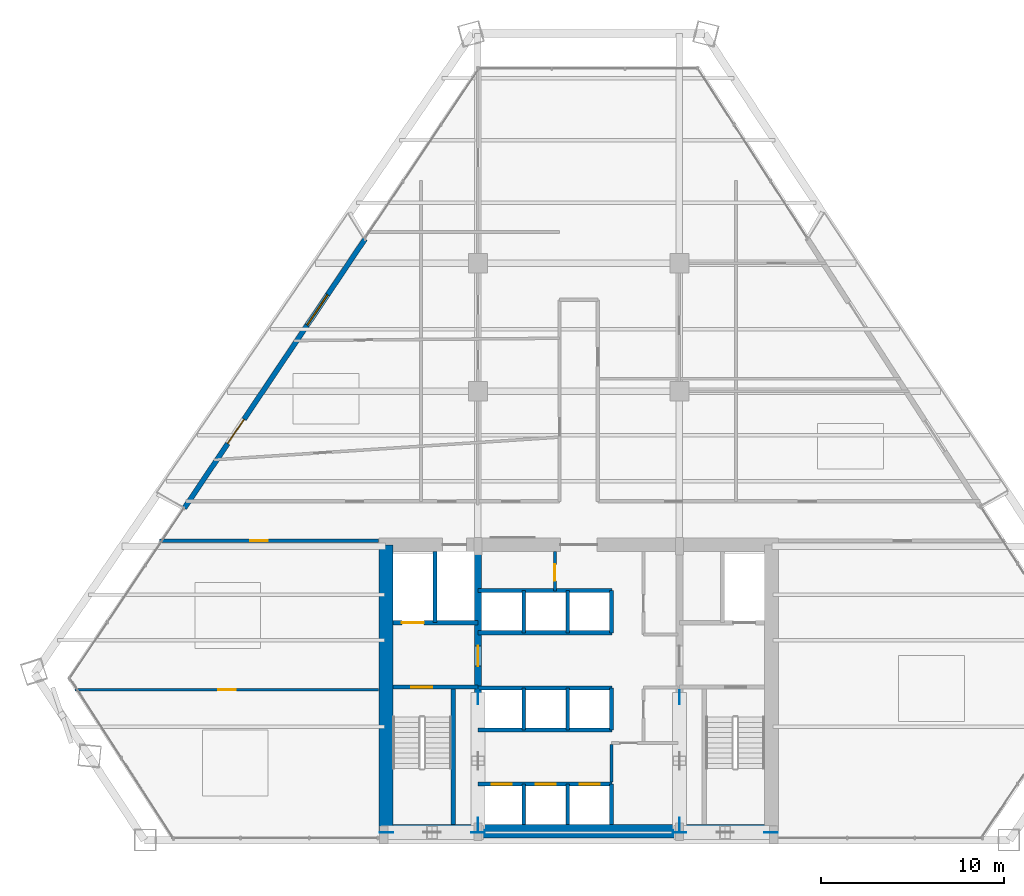
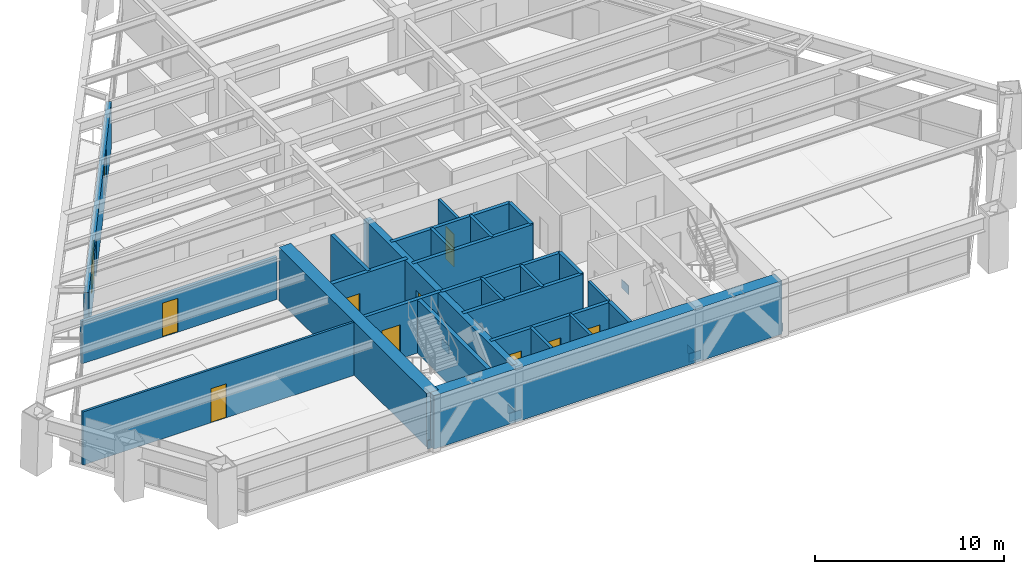
# One storey, part 10 of 14: 26 walls, 10 doors, 8 plates, 1 window, 11 openings.
"""IFC4 building model written with IfcOpenShell, lengths in metres."""

from ifc_helpers import new_model, si_unit, direction, frame, frame_2d, origin, origin_2d, place, context, subcontext, project, spatial, rectangle, extrude, source, transform, mapped, material, layer, layer_set, type_object, type_shapes, element, fill, save


model = new_model("IFC4")

# Units and contexts
model_context = context("Model", 3, precision=1e-05, world=origin(), true_north=direction((0.0, 1.0)))
body_context = subcontext(model_context, "Body", "Model", "MODEL_VIEW")
ifc_project = project(units=[si_unit("LENGTHUNIT", "METRE"), si_unit("AREAUNIT", "SQUARE_METRE"), si_unit("VOLUMEUNIT", "CUBIC_METRE"), si_unit("PLANEANGLEUNIT", "RADIAN"), si_unit("MASSUNIT", "GRAM", prefix="KILO")], contexts=[model_context])

# Site, building, storey
site_placement = place(None, origin())
site = spatial("IfcSite", under=ifc_project, at=site_placement, CompositionType="ELEMENT")
building_placement = place(site_placement, origin())
building = spatial("IfcBuilding", under=site, at=building_placement, Name="Varnakhor Terracotta Tower", CompositionType="ELEMENT")
storey_placement = place(building_placement, frame((0.0, 0.0, 98.800048828125)))
storey = spatial("IfcBuildingStorey", under=building, at=storey_placement, Name="L24", CompositionType="ELEMENT", Elevation=98.800048828125)

# Plates
ifc_material_1 = material(Name="Steel S460", Category="steel")
ifc_layer_1 = layer(ifc_material_1, 0.050048828125, Name="Steel S460")
ifc_layer_set_1 = layer_set([ifc_layer_1], Name="Steel S460")
plate_type = type_object("IfcPlateType", Name="PLT-GUSSET-50", PredefinedType="USERDEFINED", material=ifc_layer_set_1)
shared_shape_1 = source(origin(), body_context, "Body", "SweptSolid", [
    extrude(rectangle(XDim=0.75, YDim=0.0400390625, at=origin_2d()), origin(), (0.0, 0.0, 1.0), 0.550048828125),
])
type_shapes(plate_type, [shared_shape_1])
for number, where, z_axis, x_axis, name in (
    (1, (-10.5, 0.419921875, -0.09521484375), (0.0, 0.0, 1.0), (1.0, 0.0, 0.0), "L24 Core Brace Embed Plate CSWA"),
    (2, (-5.5, 0.419921875, -0.09521484375), (0.0, 0.0, 1.0), (1.0, 0.0, 0.0), "L24 Core Brace Embed Plate CSWB"),
    (3, (5.5, 0.419921875, -0.09521484375), (0.0, 0.0, 1.0), (1.0, 0.0, 0.0), "L24 Core Brace Embed Plate CSEA"),
    (4, (10.5, 0.419921875, -0.09521484375), (0.0, 0.0, 1.0), (1.0, 0.0, 0.0), "L24 Core Brace Embed Plate CSEB"),
    (5, (-5.5, 0.85009765625, -0.09521484375), (0.0, 0.0, 1.0), (0.0, 1.0, 0.0), "L24 Core Brace Embed Plate CWWA"),
    (6, (-5.5, 7.800048828125, -0.09521484375), (0.0, 0.0, 1.0), (0.0, 1.0, 0.0), "L24 Core Brace Embed Plate CWWB"),
    (7, (5.5, 0.85009765625, -0.09521484375), (0.0, 0.0, 1.0), (0.0, 1.0, 0.0), "L24 Core Brace Embed Plate CWEA"),
    (8, (5.5, 7.800048828125, -0.09521484375), (0.0, 0.0, 1.0), (0.0, 1.0, 0.0), "L24 Core Brace Embed Plate CWEB"),
):
    element("IfcPlate", number, at=place(storey_placement, frame(where, z_axis=z_axis, x_axis=x_axis)), inside=storey, type_object=plate_type, Name=name, ObjectType="GUSSET PLATE", PredefinedType="USERDEFINED", context=body_context, shape_type="MappedRepresentation", body=[
        mapped(shared_shape_1, transform((0.0, 0.0, 0.0), scale=1.0)),
    ])

# Walls
ifc_material_2 = material(Name="Concrete C60/75", Category="concrete")
ifc_layer_2 = layer(ifc_material_2, 0.75, Name="Concrete C60/75")
ifc_layer_set_2 = layer_set([ifc_layer_2], Name="Concrete C60/75")
wall_type_1 = type_object("IfcWallType", Name="WAL-CORE-750", PredefinedType="SHEAR", material=ifc_layer_set_2)
wall_1_placement = place(storey_placement, frame((-10.64990234375, 0.47509765625, 0.0), z_axis=(0.0, 0.0, 1.0), x_axis=(1.0, 0.0, 0.0)))
element("IfcWall", 9, at=wall_1_placement, inside=storey, type_object=wall_type_1, Name="L24 South Core Shear Wall", PredefinedType="SHEAR", context=body_context, shape_type="SweptSolid", body=[
    extrude(rectangle(XDim=21.2998046875, YDim=0.75, at=frame_2d((10.64990234375, 0.0))), origin(), (0.0, 0.0, 1.0), 3.449951171875),
])
wall_2_placement = place(storey_placement, frame((-10.52490234375, 0.47509765625, 0.0), z_axis=(0.0, 0.0, 1.0), x_axis=(0.0, 1.0, 0.0)))
element("IfcWall", 10, at=wall_2_placement, inside=storey, type_object=wall_type_1, Name="L24 West Core Shear Wall", PredefinedType="SHEAR", context=body_context, shape_type="SweptSolid", body=[
    extrude(rectangle(XDim=15.64990234375, YDim=0.75, at=frame_2d((7.824951171875, 0.0))), origin(), (0.0, 0.0, 1.0), 3.449951171875),
])

# Wall, opening, door
ifc_material_3 = material(Name="Concrete C50/60", Category="concrete")
ifc_layer_3 = layer(ifc_material_3, 0.39990234375, Name="Concrete C50/60")
ifc_layer_set_3 = layer_set([ifc_layer_3], Name="Concrete C50/60")
wall_type_2 = type_object("IfcWallType", Name="WAL-CORE-WEB-400", PredefinedType="SHEAR", material=ifc_layer_set_3)
wall_3_placement = place(storey_placement, frame((-5.5, 0.47509765625, 0.0), z_axis=(0.0, 0.0, 1.0), x_axis=(0.0, 1.0, 0.0)))
wall_3 = element("IfcWall", 11, at=wall_3_placement, inside=storey, type_object=wall_type_2, Name="L24 West Core Web Shear Wall", PredefinedType="SHEAR", context=body_context, shape_type="SweptSolid", body=[
    extrude(rectangle(XDim=15.64990234375, YDim=0.39990234375, at=frame_2d((7.824951171875, 0.0))), origin(), (0.0, 0.0, 1.0), 3.449951171875),
])
opening_1_placement = place(wall_3_placement, frame((9.02490234375, 0.0, 0.0)))
opening_1 = element("IfcOpeningElement", 12, at=opening_1_placement, cuts=wall_3, Name="Opening DR-25", PredefinedType="OPENING", context=body_context, shape_type="SweptSolid", body=[
    extrude(rectangle(XDim=1.10009765625, YDim=2.199951171875, at=frame_2d((0.550048828125, 1.10009765625))), frame((0.0, 0.2099609375, 0.0), z_axis=(0.0, -1.0, 0.0), x_axis=(1.0, 0.0, 0.0)), (0.0, 0.0, 1.0), 0.419921875),
])
ifc_material_4 = material(Name="Firefighting Lobby Self-Closing Fire Door", Category="steel")
door_type_1 = type_object("IfcDoorType", Name="DR-FFL-1100X2200", OperationType="NOTDEFINED", PredefinedType="DOOR", material=ifc_material_4)
shared_shape_2 = source(origin(), body_context, "Body", "SweptSolid", [
    extrude(rectangle(XDim=1.10009765625, YDim=2.199951171875, at=frame_2d((0.550048828125, 1.10009765625))), frame((0.0, 0.02490234375, 0.0), z_axis=(0.0, -1.0, 0.0), x_axis=(1.0, 0.0, 0.0)), (0.0, 0.0, 1.0), 0.050048828125),
])
type_shapes(door_type_1, [shared_shape_2])
door_1_placement = place(opening_1_placement, origin())
door_1 = element("IfcDoor", 13, at=door_1_placement, inside=storey, type_object=door_type_1, Name="L24 West Firefighting Lobby Door", OperationType="SINGLE_SWING_RIGHT", OverallHeight=2.199951171875, OverallWidth=1.10009765625, PredefinedType="DOOR", context=body_context, shape_type="MappedRepresentation", body=[
    mapped(shared_shape_2, transform((0.0, 0.0, 0.0), scale=1.0)),
])
fill(opening_1, door_1)

ifc_material_5 = material(Name="Fire-Rated Gypsum Stud Partition", Category="gypsum")
ifc_layer_4 = layer(ifc_material_5, 0.18505859375, Name="Fire-Rated Gypsum Stud Partition")
ifc_layer_set_4 = layer_set([ifc_layer_4], Name="Fire-Rated Gypsum Stud Partition")
wall_type_3 = type_object("IfcWallType", Name="WAL-CORR-185", PredefinedType="PARTITIONING", material=ifc_layer_set_4)
wall_4_placement = place(storey_placement, frame((-22.876708984375, 16.35009765625, 0.0), z_axis=(0.0, 0.0, 1.0), x_axis=(1.0, 0.0, 0.0)))
wall_4 = element("IfcWall", 14, at=wall_4_placement, inside=storey, type_object=wall_type_3, Name="L24 South West Corridor Wall", PredefinedType="PARTITIONING", context=body_context, shape_type="SweptSolid", body=[
    extrude(rectangle(XDim=11.956787109375, YDim=0.18505859375, at=frame_2d((5.978515625, 0.0))), origin(), (0.0, 0.0, 1.0), 2.7470703125),
])
opening_2_placement = place(wall_4_placement, frame((4.939697265625, 0.0, 0.0)))
opening_2 = element("IfcOpeningElement", 15, at=opening_2_placement, cuts=wall_4, Name="Opening DR-94", PredefinedType="OPENING", context=body_context, shape_type="SweptSolid", body=[
    extrude(rectangle(XDim=0.949951171875, YDim=2.199951171875, at=frame_2d((0.47509765625, 1.10009765625))), frame((0.0, 0.1025390625, 0.0), z_axis=(0.0, -1.0, 0.0), x_axis=(1.0, 0.0, 0.0)), (0.0, 0.0, 1.0), 0.205078125),
])
ifc_material_6 = material(Name="Acoustic Glazed-Vision Timber Office Door", Category="wood")
door_type_2 = type_object("IfcDoorType", Name="DR-OFF-950X2200", OperationType="NOTDEFINED", PredefinedType="DOOR", material=ifc_material_6)
shared_shape_3 = source(origin(), body_context, "Body", "SweptSolid", [
    extrude(rectangle(XDim=0.949951171875, YDim=2.199951171875, at=frame_2d((0.47509765625, 1.10009765625))), frame((0.0, 0.02490234375, 0.0), z_axis=(0.0, -1.0, 0.0), x_axis=(1.0, 0.0, 0.0)), (0.0, 0.0, 1.0), 0.050048828125),
])
type_shapes(door_type_2, [shared_shape_3])
door_2_placement = place(opening_2_placement, origin())
door_2 = element("IfcDoor", 16, at=door_2_placement, inside=storey, type_object=door_type_2, Name="L24 SW Suite Door", OperationType="SINGLE_SWING_LEFT", OverallHeight=2.199951171875, OverallWidth=0.949951171875, PredefinedType="DOOR", context=body_context, shape_type="MappedRepresentation", body=[
    mapped(shared_shape_3, transform((0.0, 0.0, 0.0), scale=1.0)),
])
fill(opening_2, door_2)

# Wall, openings, door, window
ifc_material_7 = material(Name="Extruded Architectural Terracotta Assembly", Category="masonry")
ifc_layer_5 = layer(ifc_material_7, 0.280029296875, Name="Extruded Architectural Terracotta Assembly")
ifc_layer_set_5 = layer_set([ifc_layer_5], Name="Extruded Architectural Terracotta Assembly")
wall_type_4 = type_object("IfcWallType", Name="WAL-EXT-TERRACOTTA-280", PredefinedType="SOLIDWALL", material=ifc_layer_set_5)
wall_5_placement = place(storey_placement, frame((-21.533447265625, 18.117919921875, 0.0), z_axis=(0.0, 0.0, 1.0), x_axis=(0.55732309921, 0.830295708219, 0.0)))
wall_5 = element("IfcWall", 17, at=wall_5_placement, inside=storey, type_object=wall_type_4, Name="L24 W Loggia Insulated Terracotta Wall", PredefinedType="SOLIDWALL", context=body_context, shape_type="SweptSolid", body=[
    extrude(rectangle(XDim=17.702392578125, YDim=0.280029296875, at=frame_2d((8.85107421875, 0.0))), origin(), (0.0, 0.0, 1.0), 3.030029296875),
])
opening_3_placement = place(wall_5_placement, frame((4.24853515625, 0.0, 0.0)))
opening_3 = element("IfcOpeningElement", 18, at=opening_3_placement, cuts=wall_5, Name="Opening DR-62", PredefinedType="OPENING", context=body_context, shape_type="SweptSolid", body=[
    extrude(rectangle(XDim=1.60009765625, YDim=2.35009765625, at=frame_2d((0.800048828125, 1.175048828125))), frame((0.0, 0.14990234375, 0.0), z_axis=(0.0, -1.0, 0.0), x_axis=(1.0, 0.0, 0.0)), (0.0, 0.0, 1.0), 0.300048828125),
])
opening_4_placement = place(wall_5_placement, frame((12.03759765625, 0.0, 0.89990234375)))
opening_4 = element("IfcOpeningElement", 19, at=opening_4_placement, cuts=wall_5, Name="Opening WN-26", PredefinedType="OPENING", context=body_context, shape_type="SweptSolid", body=[
    extrude(rectangle(XDim=2.0, YDim=1.85009765625, at=frame_2d((1.0, 0.925048828125))), frame((0.0, 0.14990234375, 0.0), z_axis=(0.0, -1.0, 0.0), x_axis=(1.0, 0.0, 0.0)), (0.0, 0.0, 1.0), 0.300048828125),
])
ifc_material_8 = material(Name="Thermally Broken Sliding Glass Loggia Door", Category="glass")
door_type_3 = type_object("IfcDoorType", Name="DR-EXT-LOGGIA-1600X2350", OperationType="NOTDEFINED", PredefinedType="DOOR", material=ifc_material_8)
shared_shape_4 = source(origin(), body_context, "Body", "SweptSolid", [
    extrude(rectangle(XDim=1.60009765625, YDim=2.35009765625, at=frame_2d((0.800048828125, 1.175048828125))), frame((0.0, 0.02490234375, 0.0), z_axis=(0.0, -1.0, 0.0), x_axis=(1.0, 0.0, 0.0)), (0.0, 0.0, 1.0), 0.050048828125),
])
type_shapes(door_type_3, [shared_shape_4])
door_3_placement = place(opening_3_placement, origin())
door_3 = element("IfcDoor", 20, at=door_3_placement, inside=storey, type_object=door_type_3, Name="L24 W Recessed Loggia Sliding Door", OperationType="SLIDING_TO_LEFT", OverallHeight=2.35009765625, OverallWidth=1.60009765625, PredefinedType="DOOR", context=body_context, shape_type="MappedRepresentation", body=[
    mapped(shared_shape_4, transform((0.0, 0.0, 0.0), scale=1.0)),
])
fill(opening_3, door_3)
ifc_material_9 = material(Name="Solar-Control Low-E Insulated Glass Unit", Category="glass")
window_type = type_object("IfcWindowType", Name="WIN-OFF-2200X2100", PartitioningType="SINGLE_PANEL", PredefinedType="WINDOW", material=ifc_material_9)
shared_shape_5 = source(origin(), body_context, "Body", "SweptSolid", [
    extrude(rectangle(XDim=2.0, YDim=1.85009765625, at=frame_2d((1.0, 0.925048828125))), frame((0.0, 0.030029296875, 0.0), z_axis=(0.0, -1.0, 0.0), x_axis=(1.0, 0.0, 0.0)), (0.0, 0.0, 1.0), 0.06005859375),
])
type_shapes(window_type, [shared_shape_5])
window_placement = place(opening_4_placement, origin())
window = element("IfcWindow", 21, at=window_placement, inside=storey, type_object=window_type, Name="L24 W Facet Punched Window", OverallHeight=1.85009765625, OverallWidth=2.0, PartitioningType="SINGLE_PANEL", PredefinedType="WINDOW", context=body_context, shape_type="MappedRepresentation", body=[
    mapped(shared_shape_5, transform((0.0, 0.0, 0.0), scale=1.0)),
])
fill(opening_4, window)

# Wall, opening, door
ifc_material_10 = material(Name="Concrete C40/50", Category="concrete")
ifc_layer_6 = layer(ifc_material_10, 0.219970703125, Name="Concrete C40/50")
ifc_layer_set_6 = layer_set([ifc_layer_6], Name="Concrete C40/50")
wall_type_5 = type_object("IfcWallType", Name="WAL-FFLOBBY-220", PredefinedType="SOLIDWALL", material=ifc_layer_set_6)
wall_6_placement = place(storey_placement, frame((-5.5, 8.35009765625, 0.0), z_axis=(0.0, 0.0, 1.0), x_axis=(-1.0, 0.0, 0.0)))
wall_6 = element("IfcWall", 22, at=wall_6_placement, inside=storey, type_object=wall_type_5, Name="L24 West Firefighting Lobby Stair Wall", PredefinedType="SOLIDWALL", context=body_context, shape_type="SweptSolid", body=[
    extrude(rectangle(XDim=4.64990234375, YDim=0.219970703125, at=frame_2d((2.324951171875, 0.0))), origin(), (0.0, 0.0, 1.0), 3.449951171875),
])
opening_5_placement = place(wall_6_placement, frame((2.5, 0.0, 0.0)))
opening_5 = element("IfcOpeningElement", 23, at=opening_5_placement, cuts=wall_6, Name="Opening DR-34", PredefinedType="OPENING", context=body_context, shape_type="SweptSolid", body=[
    extrude(rectangle(XDim=1.14990234375, YDim=2.199951171875, at=frame_2d((0.574951171875, 1.10009765625))), frame((0.0, 0.1201171875, 0.0), z_axis=(0.0, -1.0, 0.0), x_axis=(1.0, 0.0, 0.0)), (0.0, 0.0, 1.0), 0.239990234375),
])
ifc_material_11 = material(Name="Self-Closing Smoke-Sealed Steel Fire Door", Category="steel")
door_type_4 = type_object("IfcDoorType", Name="DR-STAIR-1150X2200", OperationType="NOTDEFINED", PredefinedType="DOOR", material=ifc_material_11)
shared_shape_6 = source(origin(), body_context, "Body", "SweptSolid", [
    extrude(rectangle(XDim=1.14990234375, YDim=2.199951171875, at=frame_2d((0.574951171875, 1.10009765625))), frame((0.0, 0.02490234375, 0.0), z_axis=(0.0, -1.0, 0.0), x_axis=(1.0, 0.0, 0.0)), (0.0, 0.0, 1.0), 0.050048828125),
])
type_shapes(door_type_4, [shared_shape_6])
door_4_placement = place(opening_5_placement, origin())
door_4 = element("IfcDoor", 24, at=door_4_placement, inside=storey, type_object=door_type_4, Name="L24 Exit Stair ST-1 Fire Door", OperationType="SINGLE_SWING_LEFT", OverallHeight=2.199951171875, OverallWidth=1.14990234375, PredefinedType="DOOR", context=body_context, shape_type="MappedRepresentation", body=[
    mapped(shared_shape_6, transform((0.0, 0.0, 0.0), scale=1.0)),
])
fill(opening_5, door_4)

ifc_material_12 = material(Name="Acoustic Metal-Stud Partition", Category="gypsum")
ifc_layer_7 = layer(ifc_material_12, 0.139892578125, Name="Acoustic Metal-Stud Partition")
ifc_layer_set_7 = layer_set([ifc_layer_7], Name="Acoustic Metal-Stud Partition")
wall_type_6 = type_object("IfcWallType", Name="WAL-PART-140", PredefinedType="PARTITIONING", material=ifc_layer_set_7)
wall_7_placement = place(storey_placement, frame((-27.5009765625, 8.199951171875, 0.0), z_axis=(0.0, 0.0, 1.0), x_axis=(1.0, 0.0, 0.0)))
wall_7 = element("IfcWall", 25, at=wall_7_placement, inside=storey, type_object=wall_type_6, Name="L24 South West Cut 1", PredefinedType="PARTITIONING", context=body_context, shape_type="SweptSolid", body=[
    extrude(rectangle(XDim=16.5810546875, YDim=0.139892578125, at=frame_2d((8.29052734375, 0.0))), origin(), (0.0, 0.0, 1.0), 3.44189453125),
])
opening_6_placement = place(wall_7_placement, frame((7.824462890625, 0.0, 0.0)))
opening_6 = element("IfcOpeningElement", 26, at=opening_6_placement, cuts=wall_7, Name="Opening DR-94", PredefinedType="OPENING", context=body_context, shape_type="SweptSolid", body=[
    extrude(rectangle(XDim=0.949951171875, YDim=2.199951171875, at=frame_2d((0.47509765625, 1.10009765625))), frame((0.0, 0.080078125, 0.0), z_axis=(0.0, -1.0, 0.0), x_axis=(1.0, 0.0, 0.0)), (0.0, 0.0, 1.0), 0.159912109375),
])
door_5_placement = place(opening_6_placement, origin())
door_5 = element("IfcDoor", 27, at=door_5_placement, inside=storey, type_object=door_type_2, Name="L24 South West Executive Office Door", OperationType="SINGLE_SWING_LEFT", OverallHeight=2.199951171875, OverallWidth=0.949951171875, PredefinedType="DOOR", context=body_context, shape_type="MappedRepresentation", body=[
    mapped(shared_shape_3, transform((0.0, 0.0, 0.0), scale=1.0)),
])
fill(opening_6, door_5)

# Walls
ifc_layer_8 = layer(ifc_material_10, 0.179931640625, Name="Concrete C40/50")
ifc_layer_set_8 = layer_set([ifc_layer_8], Name="Concrete C40/50")
wall_type_7 = type_object("IfcWallType", Name="WAL-SHAFT-180", PredefinedType="SOLIDWALL", material=ifc_layer_set_8)
for number, where, z_axis, x_axis, name in (
    (28, (-3.0, 0.85009765625, 0.0), (0.0, 0.0, 1.0), (0.0, 1.0, 0.0), "L24 PL-1A Divider"),
    (29, (-0.60009765625, 0.85009765625, 0.0), (0.0, 0.0, 1.0), (0.0, 1.0, 0.0), "L24 PL-1B Divider"),
):
    element("IfcWall", number, at=place(storey_placement, frame(where, z_axis=z_axis, x_axis=x_axis)), inside=storey, type_object=wall_type_7, Name=name, PredefinedType="SOLIDWALL", context=body_context, shape_type="SweptSolid", body=[
        extrude(rectangle(XDim=2.199951171875, YDim=0.179931640625, at=frame_2d((1.10009765625, 0.0))), origin(), (0.0, 0.0, 1.0), 3.449951171875),
    ])
for number, where, z_axis, x_axis, name in (
    (30, (-3.0, 6.0, 0.0), (0.0, 0.0, 1.0), (0.0, 1.0, 0.0), "L24 PL-2A Divider"),
    (31, (-0.60009765625, 6.0, 0.0), (0.0, 0.0, 1.0), (0.0, 1.0, 0.0), "L24 PL-2B Divider"),
    (32, (-3.0, 11.320068359375, 0.0), (0.0, 0.0, 1.0), (0.0, 1.0, 0.0), "L24 PL-3A Divider"),
    (33, (-0.60009765625, 11.320068359375, 0.0), (0.0, 0.0, 1.0), (0.0, 1.0, 0.0), "L24 PL-3B Divider"),
):
    element("IfcWall", number, at=place(storey_placement, frame(where, z_axis=z_axis, x_axis=x_axis)), inside=storey, type_object=wall_type_7, Name=name, PredefinedType="SOLIDWALL", context=body_context, shape_type="SweptSolid", body=[
        extrude(rectangle(XDim=2.300048828125, YDim=0.179931640625, at=frame_2d((1.14990234375, 0.0))), origin(), (0.0, 0.0, 1.0), 3.449951171875),
    ])
ifc_layer_9 = layer(ifc_material_10, 0.219970703125, Name="Concrete C40/50")
ifc_layer_set_9 = layer_set([ifc_layer_9], Name="Concrete C40/50")
wall_type_8 = type_object("IfcWallType", Name="WAL-SHAFT-220", PredefinedType="SOLIDWALL", material=ifc_layer_set_9)
wall_8_placement = place(storey_placement, frame((-7.840087890625, 11.8701171875, 0.0), z_axis=(0.0, 0.0, 1.0), x_axis=(0.0, 1.0, 0.0)))
element("IfcWall", 34, at=wall_8_placement, inside=storey, type_object=wall_type_8, Name="L24 Lift FFL-1 and SVL-1 Divider Wall", PredefinedType="SOLIDWALL", context=body_context, shape_type="SweptSolid", body=[
    extrude(rectangle(XDim=3.8798828125, YDim=0.219970703125, at=frame_2d((1.93994140625, 0.0))), origin(), (0.0, 0.0, 1.0), 3.449951171875),
])

# Wall, openings, doors
wall_9_placement = place(storey_placement, frame((-5.5, 3.050048828125, 0.0), z_axis=(0.0, 0.0, 1.0), x_axis=(1.0, 0.0, 0.0)))
wall_9 = element("IfcWall", 35, at=wall_9_placement, inside=storey, type_object=wall_type_8, Name="L24 Bank 1 Lift Shaft Wall", PredefinedType="SOLIDWALL", context=body_context, shape_type="SweptSolid", body=[
    extrude(rectangle(XDim=7.320068359375, YDim=0.219970703125, at=frame_2d((3.66015625, 0.0))), origin(), (0.0, 0.0, 1.0), 3.449951171875),
])
opening_7_placement = place(wall_9_placement, frame((0.75, 0.0, 0.0)))
opening_7 = element("IfcOpeningElement", 36, at=opening_7_placement, cuts=wall_9, Name="Opening LD-01", PredefinedType="OPENING", context=body_context, shape_type="SweptSolid", body=[
    extrude(rectangle(XDim=1.10009765625, YDim=2.199951171875, at=frame_2d((0.550048828125, 1.10009765625))), frame((0.0, 0.1201171875, 0.0), z_axis=(0.0, -1.0, 0.0), x_axis=(1.0, 0.0, 0.0)), (0.0, 0.0, 1.0), 0.239990234375),
])
opening_8_placement = place(wall_9_placement, frame((3.14990234375, 0.0, 0.0)))
opening_8 = element("IfcOpeningElement", 37, at=opening_8_placement, cuts=wall_9, Name="Opening LD-01", PredefinedType="OPENING", context=body_context, shape_type="SweptSolid", body=[
    extrude(rectangle(XDim=1.10009765625, YDim=2.199951171875, at=frame_2d((0.550048828125, 1.10009765625))), frame((0.0, 0.1201171875, 0.0), z_axis=(0.0, -1.0, 0.0), x_axis=(1.0, 0.0, 0.0)), (0.0, 0.0, 1.0), 0.239990234375),
])
opening_9_placement = place(wall_9_placement, frame((5.550048828125, 0.0, 0.0)))
opening_9 = element("IfcOpeningElement", 38, at=opening_9_placement, cuts=wall_9, Name="Opening LD-01", PredefinedType="OPENING", context=body_context, shape_type="SweptSolid", body=[
    extrude(rectangle(XDim=1.10009765625, YDim=2.199951171875, at=frame_2d((0.550048828125, 1.10009765625))), frame((0.0, 0.1201171875, 0.0), z_axis=(0.0, -1.0, 0.0), x_axis=(1.0, 0.0, 0.0)), (0.0, 0.0, 1.0), 0.239990234375),
])
ifc_material_13 = material(Name="Brushed Stainless Steel Sliding Lift Landing Door", Category="steel")
door_type_5 = type_object("IfcDoorType", Name="LD-PASS-1100X2200", OperationType="NOTDEFINED", PredefinedType="DOOR", material=ifc_material_13)
shared_shape_7 = source(origin(), body_context, "Body", "SweptSolid", [
    extrude(rectangle(XDim=1.10009765625, YDim=2.199951171875, at=frame_2d((0.550048828125, 1.10009765625))), frame((0.0, 0.02490234375, 0.0), z_axis=(0.0, -1.0, 0.0), x_axis=(1.0, 0.0, 0.0)), (0.0, 0.0, 1.0), 0.050048828125),
])
type_shapes(door_type_5, [shared_shape_7])
door_6_placement = place(opening_7_placement, origin())
door_6 = element("IfcDoor", 39, at=door_6_placement, inside=storey, type_object=door_type_5, Name="L24 Passenger Lift PL-1A Landing Door", OperationType="SLIDING_TO_RIGHT", OverallHeight=2.199951171875, OverallWidth=1.10009765625, PredefinedType="DOOR", context=body_context, shape_type="MappedRepresentation", body=[
    mapped(shared_shape_7, transform((0.0, 0.0, 0.0), scale=1.0)),
])
fill(opening_7, door_6)
door_7_placement = place(opening_8_placement, origin())
door_7 = element("IfcDoor", 40, at=door_7_placement, inside=storey, type_object=door_type_5, Name="L24 Passenger Lift PL-1B Landing Door", OperationType="SLIDING_TO_RIGHT", OverallHeight=2.199951171875, OverallWidth=1.10009765625, PredefinedType="DOOR", context=body_context, shape_type="MappedRepresentation", body=[
    mapped(shared_shape_7, transform((0.0, 0.0, 0.0), scale=1.0)),
])
fill(opening_8, door_7)
door_8_placement = place(opening_9_placement, origin())
door_8 = element("IfcDoor", 41, at=door_8_placement, inside=storey, type_object=door_type_5, Name="L24 Passenger Lift PL-1C Landing Door", OperationType="SLIDING_TO_RIGHT", OverallHeight=2.199951171875, OverallWidth=1.10009765625, PredefinedType="DOOR", context=body_context, shape_type="MappedRepresentation", body=[
    mapped(shared_shape_7, transform((0.0, 0.0, 0.0), scale=1.0)),
])
fill(opening_9, door_8)

# Walls
wall_10_placement = place(storey_placement, frame((1.800048828125, 0.85009765625, 0.0), z_axis=(0.0, 0.0, 1.0), x_axis=(0.0, 1.0, 0.0)))
element("IfcWall", 42, at=wall_10_placement, inside=storey, type_object=wall_type_8, Name="L24 Bank 1 East Shaft Wall", PredefinedType="SOLIDWALL", context=body_context, shape_type="SweptSolid", body=[
    extrude(rectangle(XDim=2.199951171875, YDim=0.219970703125, at=frame_2d((1.10009765625, 0.0))), origin(), (0.0, 0.0, 1.0), 3.449951171875),
])
for number, where, z_axis, x_axis, name in (
    (43, (-5.5, 6.0, 0.0), (0.0, 0.0, 1.0), (1.0, 0.0, 0.0), "L24 Bank 2 South Shaft Wall"),
    (44, (-5.5, 8.300048828125, 0.0), (0.0, 0.0, 1.0), (1.0, 0.0, 0.0), "L24 Bank 2 North Shaft Wall"),
):
    element("IfcWall", number, at=place(storey_placement, frame(where, z_axis=z_axis, x_axis=x_axis)), inside=storey, type_object=wall_type_8, Name=name, PredefinedType="SOLIDWALL", context=body_context, shape_type="SweptSolid", body=[
        extrude(rectangle(XDim=7.320068359375, YDim=0.219970703125, at=frame_2d((3.66015625, 0.0))), origin(), (0.0, 0.0, 1.0), 3.449951171875),
    ])
wall_11_placement = place(storey_placement, frame((1.800048828125, 6.0, 0.0), z_axis=(0.0, 0.0, 1.0), x_axis=(0.0, 1.0, 0.0)))
element("IfcWall", 45, at=wall_11_placement, inside=storey, type_object=wall_type_8, Name="L24 Bank 2 East Shaft Wall", PredefinedType="SOLIDWALL", context=body_context, shape_type="SweptSolid", body=[
    extrude(rectangle(XDim=2.300048828125, YDim=0.219970703125, at=frame_2d((1.14990234375, 0.0))), origin(), (0.0, 0.0, 1.0), 3.449951171875),
])
for number, where, z_axis, x_axis, name in (
    (46, (-5.5, 11.320068359375, 0.0), (0.0, 0.0, 1.0), (1.0, 0.0, 0.0), "L24 Bank 3 South Shaft Wall"),
    (47, (-5.5, 13.6201171875, 0.0), (0.0, 0.0, 1.0), (1.0, 0.0, 0.0), "L24 Bank 3 North Shaft Wall"),
):
    element("IfcWall", number, at=place(storey_placement, frame(where, z_axis=z_axis, x_axis=x_axis)), inside=storey, type_object=wall_type_8, Name=name, PredefinedType="SOLIDWALL", context=body_context, shape_type="SweptSolid", body=[
        extrude(rectangle(XDim=7.320068359375, YDim=0.219970703125, at=frame_2d((3.66015625, 0.0))), origin(), (0.0, 0.0, 1.0), 3.449951171875),
    ])
wall_12_placement = place(storey_placement, frame((1.800048828125, 11.320068359375, 0.0), z_axis=(0.0, 0.0, 1.0), x_axis=(0.0, 1.0, 0.0)))
element("IfcWall", 48, at=wall_12_placement, inside=storey, type_object=wall_type_8, Name="L24 Bank 3 East Shaft Wall", PredefinedType="SOLIDWALL", context=body_context, shape_type="SweptSolid", body=[
    extrude(rectangle(XDim=2.300048828125, YDim=0.219970703125, at=frame_2d((1.14990234375, 0.0))), origin(), (0.0, 0.0, 1.0), 3.449951171875),
])
ifc_layer_10 = layer(ifc_material_10, 0.25, Name="Concrete C40/50")
ifc_layer_set_10 = layer_set([ifc_layer_10], Name="Concrete C40/50")
wall_type_9 = type_object("IfcWallType", Name="WAL-SHAFT-250", PredefinedType="SOLIDWALL", material=ifc_layer_set_10)
wall_13_placement = place(storey_placement, frame((-6.85009765625, 0.85009765625, 0.0), z_axis=(0.0, 0.0, 1.0), x_axis=(0.0, 1.0, 0.0)))
element("IfcWall", 49, at=wall_13_placement, inside=storey, type_object=wall_type_9, Name="L24 Stair ST-1 Bearing Shaft Wall", PredefinedType="SOLIDWALL", context=body_context, shape_type="SweptSolid", body=[
    extrude(rectangle(XDim=7.5, YDim=0.25, at=frame_2d((3.75, 0.0))), origin(), (0.0, 0.0, 1.0), 3.449951171875),
])

# Wall, opening, door
wall_14_placement = place(storey_placement, frame((-5.5, 11.8701171875, 0.0), z_axis=(0.0, 0.0, 1.0), x_axis=(-1.0, 0.0, 0.0)))
wall_14 = element("IfcWall", 50, at=wall_14_placement, inside=storey, type_object=wall_type_9, Name="L24 Lift FFL-1 Shaft Front Wall", PredefinedType="SOLIDWALL", context=body_context, shape_type="SweptSolid", body=[
    extrude(rectangle(XDim=4.64990234375, YDim=0.25, at=frame_2d((2.324951171875, 0.0))), origin(), (0.0, 0.0, 1.0), 3.449951171875),
])
opening_10_placement = place(wall_14_placement, frame((2.949951171875, 0.0, 0.0)))
opening_10 = element("IfcOpeningElement", 51, at=opening_10_placement, cuts=wall_14, Name="Opening LD-02", PredefinedType="OPENING", context=body_context, shape_type="SweptSolid", body=[
    extrude(rectangle(XDim=1.199951171875, YDim=2.25, at=frame_2d((0.60009765625, 1.125))), frame((0.0, 0.135009765625, 0.0), z_axis=(0.0, -1.0, 0.0), x_axis=(1.0, 0.0, 0.0)), (0.0, 0.0, 1.0), 0.27001953125),
])
ifc_material_14 = material(Name="Firefighting Stretcher Sliding Lift Landing Door", Category="steel")
door_type_6 = type_object("IfcDoorType", Name="LD-FFL-1200X2250", OperationType="NOTDEFINED", PredefinedType="DOOR", material=ifc_material_14)
shared_shape_8 = source(origin(), body_context, "Body", "SweptSolid", [
    extrude(rectangle(XDim=1.199951171875, YDim=2.25, at=frame_2d((0.60009765625, 1.125))), frame((0.0, 0.02490234375, 0.0), z_axis=(0.0, -1.0, 0.0), x_axis=(1.0, 0.0, 0.0)), (0.0, 0.0, 1.0), 0.050048828125),
])
type_shapes(door_type_6, [shared_shape_8])
door_9_placement = place(opening_10_placement, origin())
door_9 = element("IfcDoor", 52, at=door_9_placement, inside=storey, type_object=door_type_6, Name="L24 Firefighting Lift FFL-1 Landing Door", OperationType="SLIDING_TO_LEFT", OverallHeight=2.25, OverallWidth=1.199951171875, PredefinedType="DOOR", context=body_context, shape_type="MappedRepresentation", body=[
    mapped(shared_shape_8, transform((0.0, 0.0, 0.0), scale=1.0)),
])
fill(opening_10, door_9)

# Wall
ifc_material_15 = material(Name="Acoustic Fire-Rated Partition", Category="gypsum")
ifc_layer_11 = layer(ifc_material_15, 0.1650390625, Name="Acoustic Fire-Rated Partition")
ifc_layer_set_11 = layer_set([ifc_layer_11], Name="Acoustic Fire-Rated Partition")
wall_type_10 = type_object("IfcWallType", Name="WAL-TENANCY-165", PredefinedType="PARTITIONING", material=ifc_layer_set_11)
wall_15_placement = place(storey_placement, frame((1.800048828125, 3.159912109375, 0.0), z_axis=(0.0, 0.0, 1.0), x_axis=(0.0, 1.0, 0.0)))
element("IfcWall", 53, at=wall_15_placement, inside=storey, type_object=wall_type_10, Name="L24 Core South West Return Wall", PredefinedType="PARTITIONING", context=body_context, shape_type="SweptSolid", body=[
    extrude(rectangle(XDim=2.0576171875, YDim=0.1650390625, at=frame_2d((1.02880859375, 0.0))), origin(), (0.0, 0.0, 1.0), 3.44189453125),
])

# Wall, opening, door
wall_16_placement = place(storey_placement, frame((-1.300048828125, 13.60009765625, 0.0), z_axis=(0.0, 0.0, 1.0), x_axis=(0.0, 1.0, 0.0)))
wall_16 = element("IfcWall", 54, at=wall_16_placement, inside=storey, type_object=wall_type_10, Name="L24 Male Restroom Wall", PredefinedType="PARTITIONING", context=body_context, shape_type="SweptSolid", body=[
    extrude(rectangle(XDim=2.14990234375, YDim=0.1650390625, at=frame_2d((1.074951171875, 0.0))), origin(), (0.0, 0.0, 1.0), 3.44189453125),
])
opening_11_placement = place(wall_16_placement, frame((0.550048828125, 0.0, 0.0)))
opening_11 = element("IfcOpeningElement", 55, at=opening_11_placement, cuts=wall_16, Name="Opening DR-67", PredefinedType="OPENING", context=body_context, shape_type="SweptSolid", body=[
    extrude(rectangle(XDim=0.89990234375, YDim=2.10009765625, at=frame_2d((0.449951171875, 1.050048828125))), frame((0.0, 0.092529296875, 0.0), z_axis=(0.0, -1.0, 0.0), x_axis=(1.0, 0.0, 0.0)), (0.0, 0.0, 1.0), 0.18505859375),
])
ifc_material_16 = material(Name="Steel Service Riser Fire Door", Category="steel")
door_type_7 = type_object("IfcDoorType", Name="DR-RISER-900X2100", OperationType="NOTDEFINED", PredefinedType="DOOR", material=ifc_material_16)
shared_shape_9 = source(origin(), body_context, "Body", "SweptSolid", [
    extrude(rectangle(XDim=0.89990234375, YDim=2.10009765625, at=frame_2d((0.449951171875, 1.050048828125))), frame((0.0, 0.02490234375, 0.0), z_axis=(0.0, -1.0, 0.0), x_axis=(1.0, 0.0, 0.0)), (0.0, 0.0, 1.0), 0.050048828125),
])
type_shapes(door_type_7, [shared_shape_9])
door_10_placement = place(opening_11_placement, origin())
door_10 = element("IfcDoor", 56, at=door_10_placement, inside=storey, type_object=door_type_7, Name="L24 Male WC Door", OperationType="SINGLE_SWING_LEFT", OverallHeight=2.10009765625, OverallWidth=0.89990234375, PredefinedType="DOOR", context=body_context, shape_type="MappedRepresentation", body=[
    mapped(shared_shape_9, transform((0.0, 0.0, 0.0), scale=1.0)),
])
fill(opening_11, door_10)

save(model, "model.ifc")
